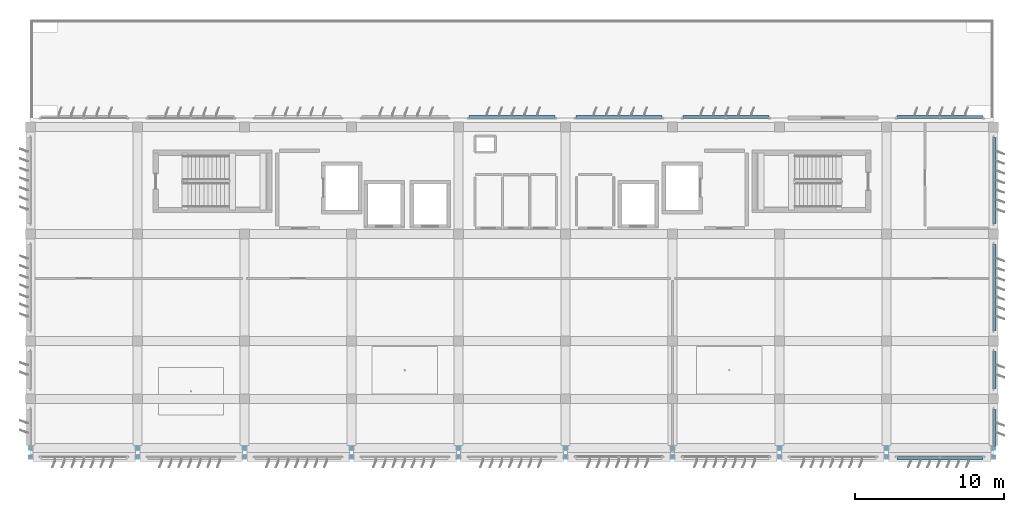
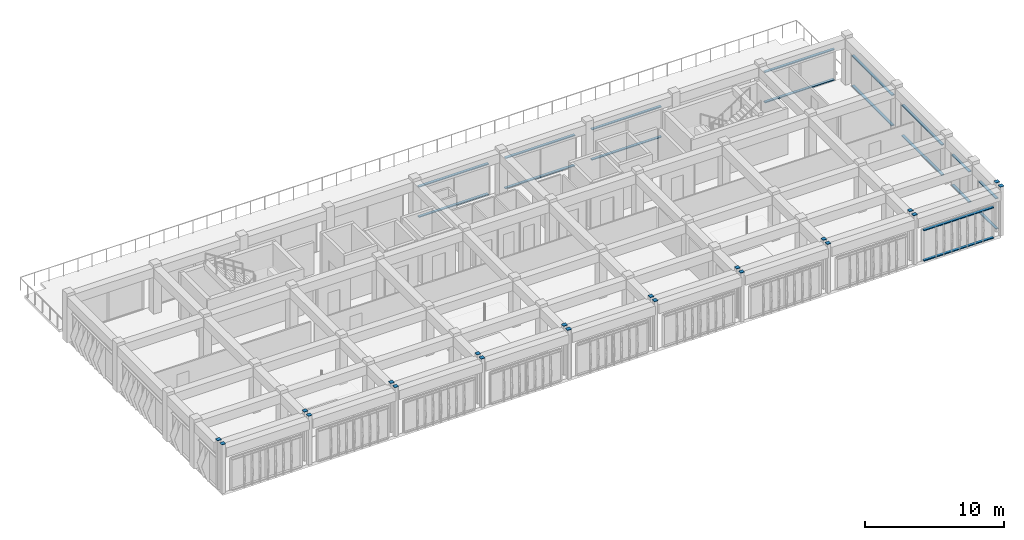
# One storey, part 35 of 42: 38 discrete accessories.
"""IFC4 building model written with IfcOpenShell, lengths in metres."""

from ifc_helpers import new_model, si_unit, direction, frame, origin, origin_2d, place, context, subcontext, project, spatial, rectangle, extrude, material, type_object, element, save


model = new_model("IFC4")

# Units and contexts
model_context = context("Model", 3, precision=1e-05, world=origin(), true_north=direction((0.0, 1.0)))
body_context = subcontext(model_context, "Body", "Model", "MODEL_VIEW")
ifc_project = project(units=[si_unit("LENGTHUNIT", "METRE"), si_unit("AREAUNIT", "SQUARE_METRE"), si_unit("VOLUMEUNIT", "CUBIC_METRE"), si_unit("PLANEANGLEUNIT", "RADIAN"), si_unit("MASSUNIT", "GRAM", prefix="KILO")], contexts=[model_context])

# Site, building, storey
site_placement = place(None, origin())
site = spatial("IfcSite", under=ifc_project, at=site_placement, CompositionType="ELEMENT")
building_placement = place(site_placement, origin())
building = spatial("IfcBuilding", under=site, at=building_placement, Name="Kazehaya Institute of Natural Sciences", CompositionType="ELEMENT")
storey_placement = place(building_placement, frame((0.0, 0.0, 37.6201171875)))
storey = spatial("IfcBuildingStorey", under=building, at=storey_placement, Name="L08", CompositionType="ELEMENT", Elevation=37.6201171875)

# Discrete accessories
ifc_material_1 = material(Name="Aluminium alloy A6063S-T5", Category="aluminium")
discrete_accessory_type_1 = type_object("IfcDiscreteAccessoryType", Name="ACC-BRK-01", PredefinedType="BRACKET", material=ifc_material_1)
for number, where, z_axis, x_axis, name in (
    (1, (115.800048828125, 6.125, 0.039794921875), (0.0, 0.0, 1.0), (-1.0, 0.0, 0.0), "L08 fin support outrigger rail 1"),
    (2, (115.800048828125, 6.125, 2.699951171875), (0.0, 0.0, 1.0), (-1.0, 0.0, 0.0), "L08 fin support outrigger rail 2"),
    (3, (87.0, 29.074951171875, 0.039794921875), (0.0, 0.0, 1.0), (1.0, 0.0, 0.0), "L08 fin support outrigger rail 1"),
    (4, (87.0, 29.074951171875, 2.699951171875), (0.0, 0.0, 1.0), (1.0, 0.0, 0.0), "L08 fin support outrigger rail 2"),
    (5, (94.199951171875, 29.074951171875, 0.039794921875), (0.0, 0.0, 1.0), (1.0, 0.0, 0.0), "L08 fin support outrigger rail 1"),
    (6, (94.199951171875, 29.074951171875, 2.699951171875), (0.0, 0.0, 1.0), (1.0, 0.0, 0.0), "L08 fin support outrigger rail 2"),
    (7, (101.39990234375, 29.074951171875, 0.039794921875), (0.0, 0.0, 1.0), (1.0, 0.0, 0.0), "L08 fin support outrigger rail 1"),
    (8, (101.39990234375, 29.074951171875, 2.699951171875), (0.0, 0.0, 1.0), (1.0, 0.0, 0.0), "L08 fin support outrigger rail 2"),
    (9, (115.800048828125, 29.074951171875, 0.039794921875), (0.0, 0.0, 1.0), (1.0, 0.0, 0.0), "L08 fin support outrigger rail 1"),
    (10, (115.800048828125, 29.074951171875, 2.699951171875), (0.0, 0.0, 1.0), (1.0, 0.0, 0.0), "L08 fin support outrigger rail 2"),
):
    element("IfcDiscreteAccessory", number, at=place(storey_placement, frame(where, z_axis=z_axis, x_axis=x_axis)), inside=storey, type_object=discrete_accessory_type_1, Name=name, PredefinedType="BRACKET", context=body_context, shape_type="SweptSolid", body=[
        extrude(rectangle(XDim=5.800048828125, YDim=0.219970703125, at=origin_2d()), origin(), (0.0, 0.0, 1.0), 0.080078125),
    ])
for number, where, z_axis, x_axis, name in (
    (11, (119.47509765625, 8.14990234375, 0.039794921875), (0.0, 0.0, 1.0), (0.0, -1.0, 0.0), "L08 fin support outrigger rail 1"),
    (12, (119.47509765625, 8.14990234375, 2.699951171875), (0.0, 0.0, 1.0), (0.0, -1.0, 0.0), "L08 fin support outrigger rail 2"),
    (13, (119.47509765625, 12.050048828125, 0.039794921875), (0.0, 0.0, 1.0), (0.0, -1.0, 0.0), "L08 fin support outrigger rail 1"),
    (14, (119.47509765625, 12.050048828125, 2.699951171875), (0.0, 0.0, 1.0), (0.0, -1.0, 0.0), "L08 fin support outrigger rail 2"),
):
    element("IfcDiscreteAccessory", number, at=place(storey_placement, frame(where, z_axis=z_axis, x_axis=x_axis)), inside=storey, type_object=discrete_accessory_type_1, Name=name, PredefinedType="BRACKET", context=body_context, shape_type="SweptSolid", body=[
        extrude(rectangle(XDim=2.5, YDim=0.219970703125, at=origin_2d()), origin(), (0.0, 0.0, 1.0), 0.080078125),
    ])
for number, where, z_axis, x_axis, name in (
    (15, (119.47509765625, 17.60009765625, 0.039794921875), (0.0, 0.0, 1.0), (0.0, -1.0, 0.0), "L08 fin support outrigger rail 1"),
    (16, (119.47509765625, 17.60009765625, 2.699951171875), (0.0, 0.0, 1.0), (0.0, -1.0, 0.0), "L08 fin support outrigger rail 2"),
    (17, (119.47509765625, 24.800048828125, 0.039794921875), (0.0, 0.0, 1.0), (0.0, -1.0, 0.0), "L08 fin support outrigger rail 1"),
    (18, (119.47509765625, 24.800048828125, 2.699951171875), (0.0, 0.0, 1.0), (0.0, -1.0, 0.0), "L08 fin support outrigger rail 2"),
):
    element("IfcDiscreteAccessory", number, at=place(storey_placement, frame(where, z_axis=z_axis, x_axis=x_axis)), inside=storey, type_object=discrete_accessory_type_1, Name=name, PredefinedType="BRACKET", context=body_context, shape_type="SweptSolid", body=[
        extrude(rectangle(XDim=5.800048828125, YDim=0.219970703125, at=origin_2d()), origin(), (0.0, 0.0, 1.0), 0.080078125),
    ])
ifc_material_2 = material(Name="Structural steel SN490B", Category="steel")
discrete_accessory_type_2 = type_object("IfcDiscreteAccessoryType", Name="ACC-STL-CAP", PredefinedType="BRACKET", material=ifc_material_2)
for number, where, z_axis, x_axis, name in (
    (19, (54.60009765625, 6.199951171875, 4.307861328125), (0.0, 0.0, 1.0), (1.0, 0.0, 0.0), "L08 hollow column welded end cap COL-L08-1281"),
    (20, (61.800048828125, 6.199951171875, 4.307861328125), (0.0, 0.0, 1.0), (1.0, 0.0, 0.0), "L08 hollow column welded end cap COL-L08-1282"),
    (21, (69.0, 6.199951171875, 4.307861328125), (0.0, 0.0, 1.0), (1.0, 0.0, 0.0), "L08 hollow column welded end cap COL-L08-1283"),
    (22, (76.199951171875, 6.199951171875, 4.307861328125), (0.0, 0.0, 1.0), (1.0, 0.0, 0.0), "L08 hollow column welded end cap COL-L08-1284"),
    (23, (83.39990234375, 6.199951171875, 4.307861328125), (0.0, 0.0, 1.0), (1.0, 0.0, 0.0), "L08 hollow column welded end cap COL-L08-1285"),
    (24, (90.60009765625, 6.199951171875, 4.307861328125), (0.0, 0.0, 1.0), (1.0, 0.0, 0.0), "L08 hollow column welded end cap COL-L08-1286"),
    (25, (97.800048828125, 6.199951171875, 4.307861328125), (0.0, 0.0, 1.0), (1.0, 0.0, 0.0), "L08 hollow column welded end cap COL-L08-1287"),
    (26, (105.0, 6.199951171875, 4.307861328125), (0.0, 0.0, 1.0), (1.0, 0.0, 0.0), "L08 hollow column welded end cap COL-L08-1288"),
    (27, (112.199951171875, 6.199951171875, 4.307861328125), (0.0, 0.0, 1.0), (1.0, 0.0, 0.0), "L08 hollow column welded end cap COL-L08-1289"),
    (28, (119.39990234375, 6.199951171875, 4.307861328125), (0.0, 0.0, 1.0), (1.0, 0.0, 0.0), "L08 hollow column welded end cap COL-L08-1290"),
    (29, (54.60009765625, 6.800048828125, 4.307861328125), (0.0, 0.0, 1.0), (1.0, 0.0, 0.0), "L08 hollow column welded end cap COL-L08-1291"),
    (30, (61.800048828125, 6.800048828125, 4.307861328125), (0.0, 0.0, 1.0), (1.0, 0.0, 0.0), "L08 hollow column welded end cap COL-L08-1292"),
    (31, (69.0, 6.800048828125, 4.307861328125), (0.0, 0.0, 1.0), (1.0, 0.0, 0.0), "L08 hollow column welded end cap COL-L08-1293"),
    (32, (76.199951171875, 6.800048828125, 4.307861328125), (0.0, 0.0, 1.0), (1.0, 0.0, 0.0), "L08 hollow column welded end cap COL-L08-1294"),
    (33, (83.39990234375, 6.800048828125, 4.307861328125), (0.0, 0.0, 1.0), (1.0, 0.0, 0.0), "L08 hollow column welded end cap COL-L08-1295"),
    (34, (90.60009765625, 6.800048828125, 4.307861328125), (0.0, 0.0, 1.0), (1.0, 0.0, 0.0), "L08 hollow column welded end cap COL-L08-1296"),
    (35, (97.800048828125, 6.800048828125, 4.307861328125), (0.0, 0.0, 1.0), (1.0, 0.0, 0.0), "L08 hollow column welded end cap COL-L08-1297"),
    (36, (105.0, 6.800048828125, 4.307861328125), (0.0, 0.0, 1.0), (1.0, 0.0, 0.0), "L08 hollow column welded end cap COL-L08-1298"),
    (37, (112.199951171875, 6.800048828125, 4.307861328125), (0.0, 0.0, 1.0), (1.0, 0.0, 0.0), "L08 hollow column welded end cap COL-L08-1299"),
    (38, (119.39990234375, 6.800048828125, 4.307861328125), (0.0, 0.0, 1.0), (1.0, 0.0, 0.0), "L08 hollow column welded end cap COL-L08-1300"),
):
    element("IfcDiscreteAccessory", number, at=place(storey_placement, frame(where, z_axis=z_axis, x_axis=x_axis)), inside=storey, type_object=discrete_accessory_type_2, Name=name, PredefinedType="BRACKET", context=body_context, shape_type="SweptSolid", body=[
        extrude(rectangle(XDim=0.320068359375, YDim=0.320068359375, at=origin_2d()), origin(), (0.0, 0.0, 1.0), 0.0400390625),
    ])

save(model, "model.ifc")
